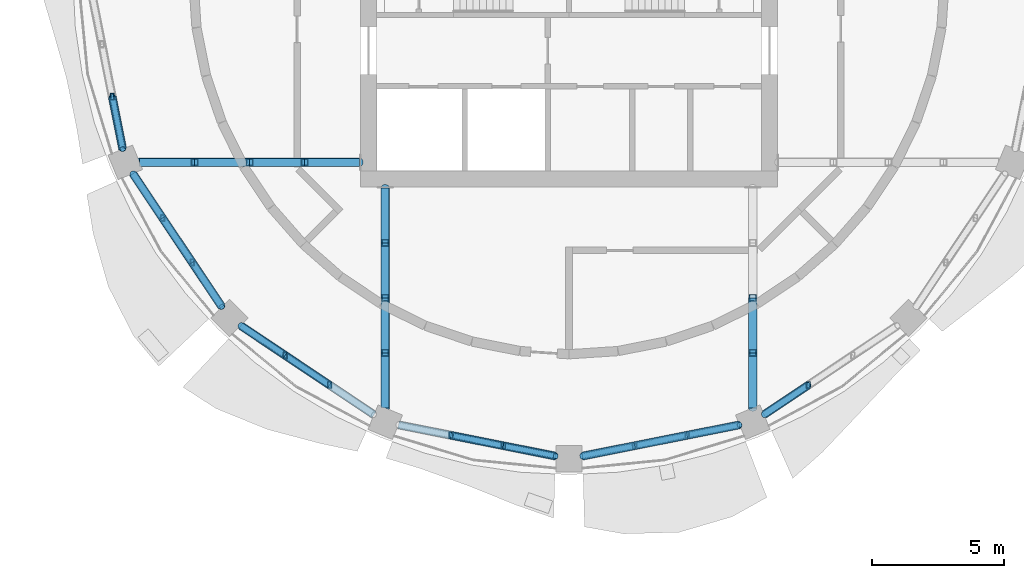
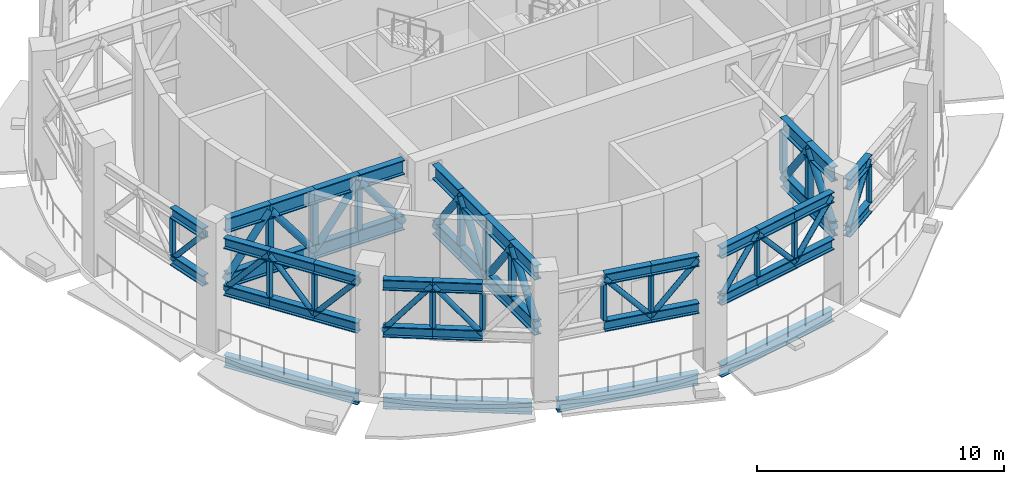
# One storey, part 2 of 14: 84 members, 4 beams.
"""IFC4 building model written with IfcOpenShell, lengths in metres."""

from ifc_helpers import new_model, si_unit, direction, frame, origin, origin_2d, place, context, subcontext, project, spatial, hollow_rectangle, hollow_circle, i_section, extrude, material, material_profile, profile_set, type_object, element, save


model = new_model("IFC4")

# Units and contexts
model_context = context("Model", 3, precision=1e-05, world=origin(), true_north=direction((0.0, 1.0)))
body_context = subcontext(model_context, "Body", "Model", "MODEL_VIEW")
ifc_project = project(units=[si_unit("LENGTHUNIT", "METRE"), si_unit("AREAUNIT", "SQUARE_METRE"), si_unit("VOLUMEUNIT", "CUBIC_METRE"), si_unit("PLANEANGLEUNIT", "RADIAN"), si_unit("MASSUNIT", "GRAM", prefix="KILO")], contexts=[model_context])

# Site, building, storey
site_placement = place(None, origin())
site = spatial("IfcSite", under=ifc_project, at=site_placement, CompositionType="ELEMENT")
building_placement = place(site_placement, origin())
building = spatial("IfcBuilding", under=site, at=building_placement, Name="Polderwave Tower", CompositionType="ELEMENT")
storey_placement = place(building_placement, frame((0.0, 0.0, 161.14990234375)))
storey = spatial("IfcBuildingStorey", under=building, at=storey_placement, Name="L43", CompositionType="ELEMENT", Elevation=161.14990234375)

# Members
ifc_material_1 = material(Name="Steel S460", Category="steel")
ifc_material_profile_1 = material_profile(ifc_material_1, i_section(OverallWidth=0.305908203125, OverallDepth=0.52392578125, WebThickness=0.02099609375, FlangeThickness=0.0400390625, at=origin_2d()), Name="HE 500 M")
ifc_profile_set_1 = profile_set([ifc_material_profile_1], Name="Steel S460")
member_type_1 = type_object("IfcMemberType", Name="BELT CHORD HE 500 M", PredefinedType="CHORD", material=ifc_profile_set_1)
for number, where, z_axis, x_axis, name in (
    (1, (-17.26220703125, -4.4638671875, 5.18798828125), (0.195116982358, -0.980779976955, 0.0), (0.980779976955, 0.195116982358, 0.0), "ST-BT-L43-08-TC3"),
    (2, (-17.26220703125, -4.4638671875, 2.862060546875), (0.195116982358, -0.980779976955, 0.0), (0.980779976955, 0.195116982358, 0.0), "ST-BT-L43-08-BC3"),
    (3, (-16.485107421875, -7.36962890625, 5.18798828125), (0.555536371135, -0.831492237093, 0.0), (0.831492237093, 0.555536371135, 0.0), "ST-BT-L43-09-TC1"),
    (4, (-16.485107421875, -7.36962890625, 2.862060546875), (0.555536371135, -0.831492237093, 0.0), (0.831492237093, 0.555536371135, 0.0), "ST-BT-L43-09-BC1"),
    (5, (-15.362548828125, -9.0498046875, 5.18798828125), (0.555536371135, -0.831492237093, 0.0), (0.831492237093, 0.555536371135, 0.0), "ST-BT-L43-09-TC2"),
    (6, (-15.362548828125, -9.0498046875, 2.862060546875), (0.555536371135, -0.831492237093, 0.0), (0.831492237093, 0.555536371135, 0.0), "ST-BT-L43-09-BC2"),
    (7, (-14.239990234375, -10.72998046875, 5.18798828125), (0.555619896081, -0.83143642636, 0.0), (0.83143642636, 0.555619896081, 0.0), "ST-BT-L43-09-TC3"),
    (8, (-14.239990234375, -10.72998046875, 2.862060546875), (0.555619896081, -0.83143642636, 0.0), (0.83143642636, 0.555619896081, 0.0), "ST-BT-L43-09-BC3"),
    (9, (-12.41015625, -13.1171875, 5.18798828125), (0.83143642636, -0.555619896081, 0.0), (0.555619896081, 0.83143642636, 0.0), "ST-BT-L43-10-TC1"),
    (10, (-12.41015625, -13.1171875, 2.862060546875), (0.83143642636, -0.555619896081, 0.0), (0.555619896081, 0.83143642636, 0.0), "ST-BT-L43-10-BC1"),
    (11, (-10.72998046875, -14.239990234375, 5.18798828125), (0.831492237093, -0.555536371135, 0.0), (0.555536371135, 0.831492237093, 0.0), "ST-BT-L43-10-TC2"),
    (12, (-10.72998046875, -14.239990234375, 2.862060546875), (0.831492237093, -0.555536371135, 0.0), (0.555536371135, 0.831492237093, 0.0), "ST-BT-L43-10-BC2"),
    (13, (-4.4638671875, -17.26220703125, 5.18798828125), (0.980803090687, -0.195000762302, 0.0), (0.195000762302, 0.980803090687, 0.0), "ST-BT-L43-11-TC2"),
    (14, (-4.4638671875, -17.26220703125, 2.862060546875), (0.980803090687, -0.195000762302, 0.0), (0.195000762302, 0.980803090687, 0.0), "ST-BT-L43-11-BC2"),
    (15, (-2.48193359375, -17.65625, 5.18798828125), (0.980779976955, -0.195116982358, 0.0), (0.195116982358, 0.980779976955, 0.0), "ST-BT-L43-11-TC3"),
    (16, (-2.48193359375, -17.65625, 2.862060546875), (0.980779976955, -0.195116982358, 0.0), (0.195116982358, 0.980779976955, 0.0), "ST-BT-L43-11-BC3"),
    (17, (0.5, -18.050537109375, 5.18798828125), (0.980779976955, 0.195116982358, 0.0), (-0.195116982358, 0.980779976955, 0.0), "ST-BT-L43-12-TC1"),
    (18, (0.5, -18.050537109375, 2.862060546875), (0.980779976955, 0.195116982358, 0.0), (-0.195116982358, 0.980779976955, 0.0), "ST-BT-L43-12-BC1"),
    (19, (2.48193359375, -17.65625, 5.18798828125), (0.980803090687, 0.195000762302, 0.0), (-0.195000762302, 0.980803090687, 0.0), "ST-BT-L43-12-TC2"),
    (20, (2.48193359375, -17.65625, 2.862060546875), (0.980803090687, 0.195000762302, 0.0), (-0.195000762302, 0.980803090687, 0.0), "ST-BT-L43-12-BC2"),
    (21, (4.4638671875, -17.26220703125, 5.18798828125), (0.980779976955, 0.195116982358, 0.0), (-0.195116982358, 0.980779976955, 0.0), "ST-BT-L43-12-TC3"),
    (22, (4.4638671875, -17.26220703125, 2.862060546875), (0.980779976955, 0.195116982358, 0.0), (-0.195116982358, 0.980779976955, 0.0), "ST-BT-L43-12-BC3"),
    (23, (7.36962890625, -16.485107421875, 5.18798828125), (0.831492237093, 0.555536371135, 0.0), (-0.555536371135, 0.831492237093, 0.0), "ST-BT-L43-13-TC1"),
    (24, (7.36962890625, -16.485107421875, 2.862060546875), (0.831492237093, 0.555536371135, 0.0), (-0.555536371135, 0.831492237093, 0.0), "ST-BT-L43-13-BC1"),
):
    element("IfcMember", number, at=place(storey_placement, frame(where, z_axis=z_axis, x_axis=x_axis)), inside=storey, type_object=member_type_1, Name=name, PredefinedType="CHORD", context=body_context, shape_type="SweptSolid", body=[
        extrude(i_section(OverallWidth=0.305908203125, OverallDepth=0.52392578125, WebThickness=0.02099609375, FlangeThickness=0.0400390625, at=origin_2d()), origin(), (0.0, 0.0, 1.0), 2.020751953125),
    ])
ifc_material_profile_2 = material_profile(ifc_material_1, hollow_circle(Radius=0.122314453125, WallThickness=0.010009765625, at=origin_2d()), Name="CHS 244.5x10")
ifc_profile_set_2 = profile_set([ifc_material_profile_2], Name="Steel S460")
member_type_2 = type_object("IfcMemberType", Name="BELT DIAGONAL CHS 244.5x10", PredefinedType="BRACE", material=ifc_profile_set_2)
for number, where, z_axis, x_axis, name in (
    (25, (-17.26220703125, -4.4638671875, 2.862060546875), (0.127967666159, -0.643245519431, 0.754890374922), (0.980779976955, 0.195116982358, 0.0), "ST-BT-L43-08-D3"),
    (26, (-16.485107421875, -7.36962890625, 2.862060546875), (0.364339045914, -0.545319989991, 0.754906065772), (0.831492237093, 0.555536371135, 0.0), "ST-BT-L43-09-D1"),
    (27, (-15.362548828125, -9.0498046875, 5.18798828125), (0.364339045914, -0.545319989991, -0.754906065772), (0.831492237093, 0.555536371135, 0.0), "ST-BT-L43-09-D2"),
    (28, (-14.239990234375, -10.72998046875, 2.862060546875), (0.364407763166, -0.545304245729, 0.754884270424), (0.83143642636, 0.555619896081, 0.0), "ST-BT-L43-09-D3"),
    (29, (-12.41015625, -13.1171875, 2.862060546875), (0.545304245729, -0.364407763166, 0.754884270424), (0.555619896081, 0.83143642636, 0.0), "ST-BT-L43-10-D1"),
    (30, (-10.72998046875, -14.239990234375, 5.18798828125), (0.545319989991, -0.364339045914, -0.754906065772), (0.555536371135, 0.831492237093, 0.0), "ST-BT-L43-10-D2"),
    (31, (-4.4638671875, -17.26220703125, 5.18798828125), (0.64325203987, -0.127889725591, -0.754898027081), (0.195000762302, 0.980803090687, 0.0), "ST-BT-L43-11-D2"),
    (32, (-2.48193359375, -17.65625, 2.862060546875), (0.643245519431, -0.127967666159, 0.754890374922), (0.195116982358, 0.980779976955, 0.0), "ST-BT-L43-11-D3"),
    (33, (0.5, -18.050537109375, 2.862060546875), (0.643245519431, 0.127967666159, 0.754890374922), (-0.195116982358, 0.980779976955, 0.0), "ST-BT-L43-12-D1"),
    (34, (2.48193359375, -17.65625, 5.18798828125), (0.64325203987, 0.127889725591, -0.754898027081), (-0.195000762302, 0.980803090687, 0.0), "ST-BT-L43-12-D2"),
    (35, (4.4638671875, -17.26220703125, 2.862060546875), (0.643245519431, 0.127967666159, 0.754890374922), (-0.195116982358, 0.980779976955, 0.0), "ST-BT-L43-12-D3"),
    (36, (7.36962890625, -16.485107421875, 2.862060546875), (0.545319989991, 0.364339045914, 0.754906065772), (-0.555536371135, 0.831492237093, 0.0), "ST-BT-L43-13-D1"),
):
    element("IfcMember", number, at=place(storey_placement, frame(where, z_axis=z_axis, x_axis=x_axis)), inside=storey, type_object=member_type_2, Name=name, PredefinedType="BRACE", context=body_context, shape_type="SweptSolid", body=[
        extrude(hollow_circle(Radius=0.122314453125, WallThickness=0.010009765625, at=origin_2d()), origin(), (0.0, 0.0, 1.0), 3.0810546875),
    ])
ifc_material_profile_3 = material_profile(ifc_material_1, hollow_rectangle(XDim=0.14990234375, YDim=0.25, WallThickness=0.010009765625, at=origin_2d()), Name="RHS 250x150x10")
ifc_profile_set_3 = profile_set([ifc_material_profile_3], Name="Steel S460")
member_type_3 = type_object("IfcMemberType", Name="BELT POST RHS 250x150x10", PredefinedType="POST", material=ifc_profile_set_3)
for number, where, z_axis, x_axis, name in (
    (37, (-17.26220703125, -4.4638671875, 3.1240234375), (0.0, 0.0, 1.0), (1.0, 0.0, 0.0), "ST-BT-L43-08-P2"),
    (38, (-15.362548828125, -9.0498046875, 3.1240234375), (0.0, 0.0, 1.0), (1.0, 0.0, 0.0), "ST-BT-L43-09-P1"),
    (39, (-14.239990234375, -10.72998046875, 3.1240234375), (0.0, 0.0, 1.0), (1.0, 0.0, 0.0), "ST-BT-L43-09-P2"),
    (40, (-10.72998046875, -14.239990234375, 3.1240234375), (0.0, 0.0, 1.0), (1.0, 0.0, 0.0), "ST-BT-L43-10-P1"),
    (41, (-9.0498046875, -15.362548828125, 3.1240234375), (0.0, 0.0, 1.0), (1.0, 0.0, 0.0), "ST-BT-L43-10-P2"),
    (42, (-4.4638671875, -17.26220703125, 3.1240234375), (0.0, 0.0, 1.0), (1.0, 0.0, 0.0), "ST-BT-L43-11-P1"),
    (43, (-2.48193359375, -17.65625, 3.1240234375), (0.0, 0.0, 1.0), (1.0, 0.0, 0.0), "ST-BT-L43-11-P2"),
    (44, (2.48193359375, -17.65625, 3.1240234375), (0.0, 0.0, 1.0), (1.0, 0.0, 0.0), "ST-BT-L43-12-P1"),
    (45, (4.4638671875, -17.26220703125, 3.1240234375), (0.0, 0.0, 1.0), (1.0, 0.0, 0.0), "ST-BT-L43-12-P2"),
    (46, (9.0498046875, -15.362548828125, 3.1240234375), (0.0, 0.0, 1.0), (1.0, 0.0, 0.0), "ST-BT-L43-13-P1"),
):
    element("IfcMember", number, at=place(storey_placement, frame(where, z_axis=z_axis, x_axis=x_axis)), inside=storey, type_object=member_type_3, Name=name, PredefinedType="POST", context=body_context, shape_type="SweptSolid", body=[
        extrude(hollow_rectangle(XDim=0.14990234375, YDim=0.25, WallThickness=0.010009765625, at=origin_2d()), origin(), (0.0, 0.0, 1.0), 1.802001953125),
    ])
ifc_material_profile_4 = material_profile(ifc_material_1, i_section(OverallWidth=0.303955078125, OverallDepth=0.716064453125, WebThickness=0.02099609375, FlangeThickness=0.0400390625, at=origin_2d()), Name="HE 700 M")
ifc_profile_set_4 = profile_set([ifc_material_profile_4], Name="Steel S460")
member_type_4 = type_object("IfcMemberType", Name="OUTRIGGER CHORD HE 700 M", PredefinedType="CHORD", material=ifc_profile_set_4)
for number, where, z_axis, x_axis, name in (
    (47, (-7.9140625, -6.94580078125, 5.692138671875), (-1.0, 0.0, 0.0), (0.0, -1.0, 0.0), "ST-OR-L43-09-TC1"),
    (48, (-7.9140625, -6.94580078125, 2.9580078125), (-1.0, 0.0, 0.0), (0.0, -1.0, 0.0), "ST-OR-L43-09-BC1"),
):
    element("IfcMember", number, at=place(storey_placement, frame(where, z_axis=z_axis, x_axis=x_axis)), inside=storey, type_object=member_type_4, Name=name, PredefinedType="CHORD", context=body_context, shape_type="SweptSolid", body=[
        extrude(i_section(OverallWidth=0.303955078125, OverallDepth=0.716064453125, WebThickness=0.02099609375, FlangeThickness=0.0400390625, at=origin_2d()), origin(), (0.0, 0.0, 1.0), 2.078125),
    ])
for number, where, z_axis, x_axis, name in (
    (49, (-9.9921875, -6.94580078125, 5.692138671875), (-1.0, 0.0, 0.0), (0.0, -1.0, 0.0), "ST-OR-L43-09-TC2"),
    (50, (-9.9921875, -6.94580078125, 2.9580078125), (-1.0, 0.0, 0.0), (0.0, -1.0, 0.0), "ST-OR-L43-09-BC2"),
    (51, (-12.070556640625, -6.94580078125, 5.692138671875), (-1.0, 0.0, 0.0), (0.0, -1.0, 0.0), "ST-OR-L43-09-TC3"),
    (52, (-12.070556640625, -6.94580078125, 2.9580078125), (-1.0, 0.0, 0.0), (0.0, -1.0, 0.0), "ST-OR-L43-09-BC3"),
    (53, (-14.14892578125, -6.94580078125, 5.692138671875), (-1.0, 0.0, 0.0), (0.0, -1.0, 0.0), "ST-OR-L43-09-TC4"),
    (54, (-14.14892578125, -6.94580078125, 2.9580078125), (-1.0, 0.0, 0.0), (0.0, -1.0, 0.0), "ST-OR-L43-09-BC4"),
):
    element("IfcMember", number, at=place(storey_placement, frame(where, z_axis=z_axis, x_axis=x_axis)), inside=storey, type_object=member_type_4, Name=name, PredefinedType="CHORD", context=body_context, shape_type="SweptSolid", body=[
        extrude(i_section(OverallWidth=0.303955078125, OverallDepth=0.716064453125, WebThickness=0.02099609375, FlangeThickness=0.0400390625, at=origin_2d()), origin(), (0.0, 0.0, 1.0), 2.078369140625),
    ])
for number, where, z_axis, x_axis, name in (
    (55, (-6.94580078125, -7.9140625, 5.692138671875), (0.0, -1.0, 0.0), (1.0, 0.0, 0.0), "ST-OR-L43-11-TC1"),
    (56, (-6.94580078125, -7.9140625, 2.9580078125), (0.0, -1.0, 0.0), (1.0, 0.0, 0.0), "ST-OR-L43-11-BC1"),
):
    element("IfcMember", number, at=place(storey_placement, frame(where, z_axis=z_axis, x_axis=x_axis)), inside=storey, type_object=member_type_4, Name=name, PredefinedType="CHORD", context=body_context, shape_type="SweptSolid", body=[
        extrude(i_section(OverallWidth=0.303955078125, OverallDepth=0.716064453125, WebThickness=0.02099609375, FlangeThickness=0.0400390625, at=origin_2d()), origin(), (0.0, 0.0, 1.0), 2.078125),
    ])
for number, where, z_axis, x_axis, name in (
    (57, (-6.94580078125, -9.9921875, 5.692138671875), (0.0, -1.0, 0.0), (1.0, 0.0, 0.0), "ST-OR-L43-11-TC2"),
    (58, (-6.94580078125, -9.9921875, 2.9580078125), (0.0, -1.0, 0.0), (1.0, 0.0, 0.0), "ST-OR-L43-11-BC2"),
    (59, (-6.94580078125, -12.070556640625, 5.692138671875), (0.0, -1.0, 0.0), (1.0, 0.0, 0.0), "ST-OR-L43-11-TC3"),
    (60, (-6.94580078125, -12.070556640625, 2.9580078125), (0.0, -1.0, 0.0), (1.0, 0.0, 0.0), "ST-OR-L43-11-BC3"),
    (61, (-6.94580078125, -14.14892578125, 5.692138671875), (0.0, -1.0, 0.0), (1.0, 0.0, 0.0), "ST-OR-L43-11-TC4"),
    (62, (-6.94580078125, -14.14892578125, 2.9580078125), (0.0, -1.0, 0.0), (1.0, 0.0, 0.0), "ST-OR-L43-11-BC4"),
    (63, (6.94580078125, -12.070556640625, 5.692138671875), (0.0, -1.0, 0.0), (1.0, 0.0, 0.0), "ST-OR-L43-13-TC3"),
    (64, (6.94580078125, -12.070556640625, 2.9580078125), (0.0, -1.0, 0.0), (1.0, 0.0, 0.0), "ST-OR-L43-13-BC3"),
    (65, (6.94580078125, -14.14892578125, 5.692138671875), (0.0, -1.0, 0.0), (1.0, 0.0, 0.0), "ST-OR-L43-13-TC4"),
    (66, (6.94580078125, -14.14892578125, 2.9580078125), (0.0, -1.0, 0.0), (1.0, 0.0, 0.0), "ST-OR-L43-13-BC4"),
):
    element("IfcMember", number, at=place(storey_placement, frame(where, z_axis=z_axis, x_axis=x_axis)), inside=storey, type_object=member_type_4, Name=name, PredefinedType="CHORD", context=body_context, shape_type="SweptSolid", body=[
        extrude(i_section(OverallWidth=0.303955078125, OverallDepth=0.716064453125, WebThickness=0.02099609375, FlangeThickness=0.0400390625, at=origin_2d()), origin(), (0.0, 0.0, 1.0), 2.078369140625),
    ])
ifc_material_profile_5 = material_profile(ifc_material_1, hollow_circle(Radius=0.161865234375, WallThickness=0.012451171875, at=origin_2d()), Name="CHS 323.9x12.5")
ifc_profile_set_5 = profile_set([ifc_material_profile_5], Name="Steel S460")
member_type_5 = type_object("IfcMemberType", Name="OUTRIGGER DIAGONAL CHS 323.9x12.5", PredefinedType="BRACE", material=ifc_profile_set_5)
for number, where, z_axis, x_axis, name in (
    (67, (-7.9140625, -6.94580078125, 2.9580078125), (-0.605117514153, 0.0, 0.796136165531), (0.0, -1.0, 0.0), "ST-OR-L43-09-D1"),
    (68, (-9.9921875, -6.94580078125, 5.692138671875), (-0.605162570376, 0.0, -0.796101917731), (0.0, -1.0, 0.0), "ST-OR-L43-09-D2"),
    (69, (-12.070556640625, -6.94580078125, 2.9580078125), (-0.605162570376, 0.0, 0.796101917731), (0.0, -1.0, 0.0), "ST-OR-L43-09-D3"),
    (70, (-14.14892578125, -6.94580078125, 5.692138671875), (-0.605162570376, 0.0, -0.796101917731), (0.0, -1.0, 0.0), "ST-OR-L43-09-D4"),
    (71, (-6.94580078125, -7.9140625, 2.9580078125), (0.0, -0.605117514153, 0.796136165531), (1.0, 0.0, 0.0), "ST-OR-L43-11-D1"),
    (72, (-6.94580078125, -9.9921875, 5.692138671875), (0.0, -0.605162570376, -0.796101917731), (1.0, 0.0, 0.0), "ST-OR-L43-11-D2"),
    (73, (-6.94580078125, -12.070556640625, 2.9580078125), (0.0, -0.605162570376, 0.796101917731), (1.0, 0.0, 0.0), "ST-OR-L43-11-D3"),
    (74, (-6.94580078125, -14.14892578125, 5.692138671875), (0.0, -0.605162570376, -0.796101917731), (1.0, 0.0, 0.0), "ST-OR-L43-11-D4"),
    (75, (6.94580078125, -12.070556640625, 2.9580078125), (0.0, -0.605162570376, 0.796101917731), (1.0, 0.0, 0.0), "ST-OR-L43-13-D3"),
    (76, (6.94580078125, -14.14892578125, 5.692138671875), (0.0, -0.605162570376, -0.796101917731), (1.0, 0.0, 0.0), "ST-OR-L43-13-D4"),
):
    element("IfcMember", number, at=place(storey_placement, frame(where, z_axis=z_axis, x_axis=x_axis)), inside=storey, type_object=member_type_5, Name=name, PredefinedType="BRACE", context=body_context, shape_type="SweptSolid", body=[
        extrude(hollow_circle(Radius=0.161865234375, WallThickness=0.012451171875, at=origin_2d()), origin(), (0.0, 0.0, 1.0), 3.434326171875),
    ])
ifc_material_profile_6 = material_profile(ifc_material_1, hollow_rectangle(XDim=0.25, YDim=0.25, WallThickness=0.012451171875, at=origin_2d()), Name="SHS 250x250x12.5")
ifc_profile_set_6 = profile_set([ifc_material_profile_6], Name="Steel S460")
member_type_6 = type_object("IfcMemberType", Name="OUTRIGGER POST SHS 250x250x12.5", PredefinedType="POST", material=ifc_profile_set_6)
for number, where, z_axis, x_axis, name in (
    (77, (-9.9921875, -6.94580078125, 3.316162109375), (0.0, 0.0, 1.0), (1.0, 0.0, 0.0), "ST-OR-L43-09-P1"),
    (78, (-12.070556640625, -6.94580078125, 3.316162109375), (0.0, 0.0, 1.0), (1.0, 0.0, 0.0), "ST-OR-L43-09-P2"),
    (79, (-14.14892578125, -6.94580078125, 3.316162109375), (0.0, 0.0, 1.0), (1.0, 0.0, 0.0), "ST-OR-L43-09-P3"),
    (80, (-6.94580078125, -9.9921875, 3.316162109375), (0.0, 0.0, 1.0), (1.0, 0.0, 0.0), "ST-OR-L43-11-P1"),
    (81, (-6.94580078125, -12.070556640625, 3.316162109375), (0.0, 0.0, 1.0), (1.0, 0.0, 0.0), "ST-OR-L43-11-P2"),
    (82, (-6.94580078125, -14.14892578125, 3.316162109375), (0.0, 0.0, 1.0), (1.0, 0.0, 0.0), "ST-OR-L43-11-P3"),
    (83, (6.94580078125, -12.070556640625, 3.316162109375), (0.0, 0.0, 1.0), (1.0, 0.0, 0.0), "ST-OR-L43-13-P2"),
    (84, (6.94580078125, -14.14892578125, 3.316162109375), (0.0, 0.0, 1.0), (1.0, 0.0, 0.0), "ST-OR-L43-13-P3"),
):
    element("IfcMember", number, at=place(storey_placement, frame(where, z_axis=z_axis, x_axis=x_axis)), inside=storey, type_object=member_type_6, Name=name, PredefinedType="POST", context=body_context, shape_type="SweptSolid", body=[
        extrude(hollow_rectangle(XDim=0.25, YDim=0.25, WallThickness=0.012451171875, at=origin_2d()), origin(), (0.0, 0.0, 1.0), 2.017822265625),
    ])

# Beams
ifc_material_2 = material(Name="Steel S355", Category="steel")
ifc_material_profile_7 = material_profile(ifc_material_2, i_section(OverallWidth=0.300048828125, OverallDepth=0.60009765625, WebThickness=0.015380859375, FlangeThickness=0.030029296875, at=origin_2d()), Name="HE 600 B")
ifc_profile_set_7 = profile_set([ifc_material_profile_7], Name="Steel S355")
beam_type = type_object("IfcBeamType", Name="RING BEAM HE 600 B", PredefinedType="BEAM", material=ifc_profile_set_7)
for number, where, z_axis, x_axis, name in (
    (85, (-16.485107421875, -7.36962890625, -0.64990234375), (0.555564214653, -0.831473633615, 0.0), (0.831473633615, 0.555564214653, 0.0), "ST-RB-L43-09"),
    (86, (-12.41015625, -13.1171875, -0.64990234375), (0.831473633615, -0.555564214653, 0.0), (0.555564214653, 0.831473633615, 0.0), "ST-RB-L43-10"),
    (87, (-6.44580078125, -16.867919921875, -0.64990234375), (0.980787682941, -0.195078243252, 0.0), (0.195078243252, 0.980787682941, 0.0), "ST-RB-L43-11"),
    (88, (0.5, -18.050537109375, -0.64990234375), (0.980787682941, 0.195078243252, 0.0), (-0.195078243252, 0.980787682941, 0.0), "ST-RB-L43-12"),
):
    element("IfcBeam", number, at=place(storey_placement, frame(where, z_axis=z_axis, x_axis=x_axis)), inside=storey, type_object=beam_type, Name=name, PredefinedType="BEAM", context=body_context, shape_type="SweptSolid", body=[
        extrude(i_section(OverallWidth=0.300048828125, OverallDepth=0.60009765625, WebThickness=0.015380859375, FlangeThickness=0.030029296875, at=origin_2d()), origin(), (0.0, 0.0, 1.0), 6.062255859375),
    ])

save(model, "model.ifc")
